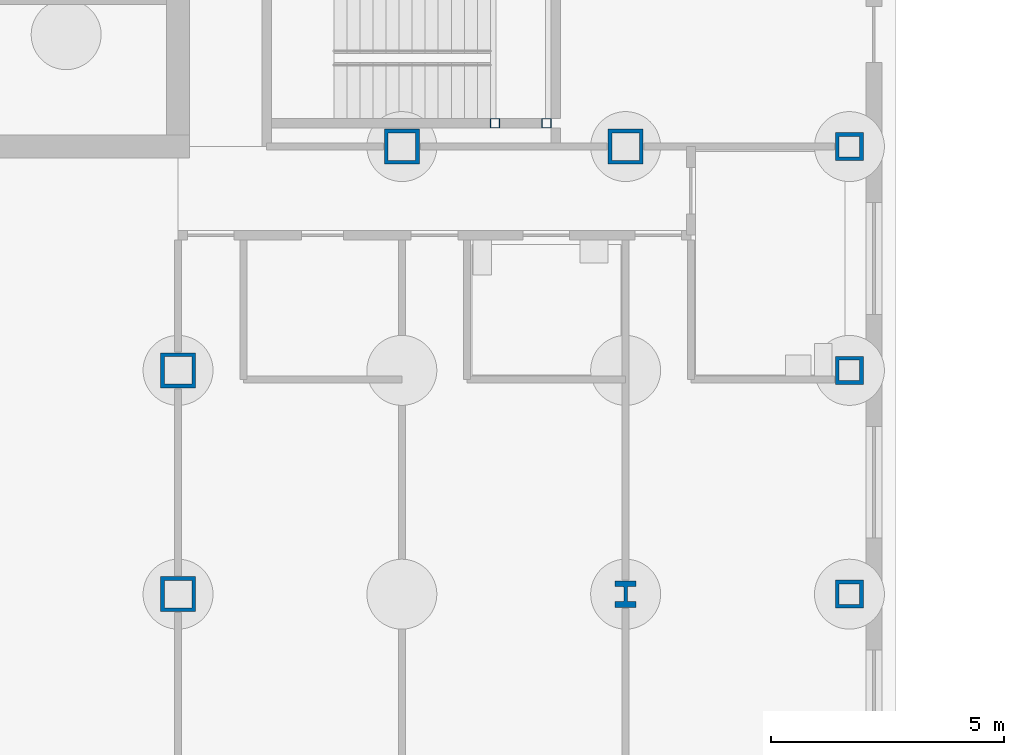
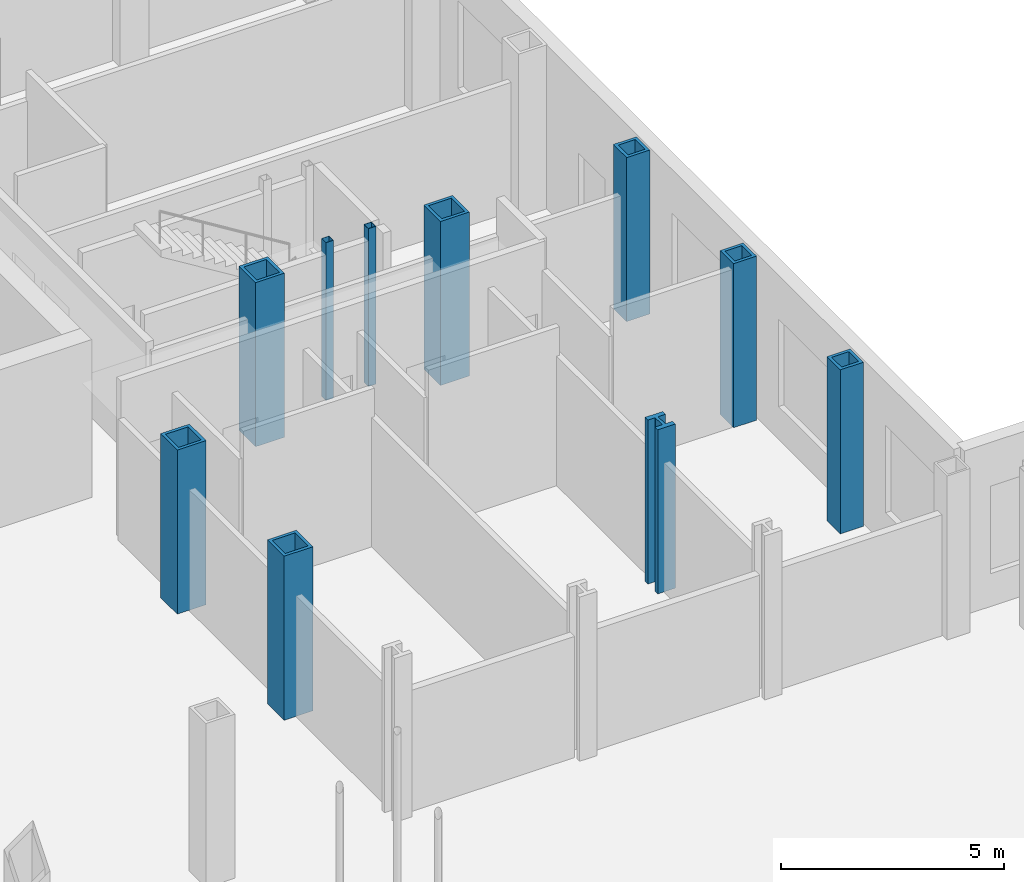
# One storey, part 7 of 22: 10 columns.
"""IFC4 building model written with IfcOpenShell, lengths in metres."""

from ifc_helpers import new_model, si_unit, direction, frame, origin, origin_2d, place, context, subcontext, project, spatial, hollow_rectangle, i_section, extrude, material, material_profile, profile_set, type_object, element, save


model = new_model("IFC4")

# Units and contexts
model_context = context("Model", 3, precision=1e-05, world=origin(), true_north=direction((0.0, 1.0)))
body_context = subcontext(model_context, "Body", "Model", "MODEL_VIEW")
ifc_project = project(units=[si_unit("LENGTHUNIT", "METRE"), si_unit("AREAUNIT", "SQUARE_METRE"), si_unit("VOLUMEUNIT", "CUBIC_METRE"), si_unit("PLANEANGLEUNIT", "RADIAN"), si_unit("MASSUNIT", "GRAM", prefix="KILO")], contexts=[model_context])

# Site, building, storey
site_placement = place(None, origin())
site = spatial("IfcSite", under=ifc_project, at=site_placement, CompositionType="ELEMENT")
building_placement = place(site_placement, origin())
building = spatial("IfcBuilding", under=site, at=building_placement, Name="Kvirike Care Tower", CompositionType="ELEMENT")
storey_placement = place(building_placement, origin())
storey = spatial("IfcBuildingStorey", under=building, at=storey_placement, Name="L00", CompositionType="ELEMENT", Elevation=0.0)

# Columns
ifc_material_1 = material(Name="Steel S460", Category="steel")
ifc_material_profile_1 = material_profile(ifc_material_1, hollow_rectangle(XDim=0.60009765625, YDim=0.60009765625, WallThickness=0.080078125, at=origin_2d()), Name="BX 600x600x80")
ifc_profile_set_1 = profile_set([ifc_material_profile_1], Name="Steel S460")
column_type_1 = type_object("IfcColumnType", Name="COLUMN BX 600x600x80", PredefinedType="COLUMN", material=ifc_profile_set_1)
for number, where, z_axis, x_axis, name in (
    (1, (43.199951171875, 19.199951171875, 0.0), (0.0, 0.0, 1.0), (1.0, 0.0, 0.0), "Column E12 L00"),
    (2, (43.199951171875, 24.0, 0.0), (0.0, 0.0, 1.0), (1.0, 0.0, 0.0), "Column F12 L00"),
    (3, (43.199951171875, 28.800048828125, 0.0), (0.0, 0.0, 1.0), (0.0, 1.0, 0.0), "Column G12 L00"),
):
    element("IfcColumn", number, at=place(storey_placement, frame(where, z_axis=z_axis, x_axis=x_axis)), inside=storey, type_object=column_type_1, Name=name, PredefinedType="COLUMN", context=body_context, shape_type="SweptSolid", body=[
        extrude(hollow_rectangle(XDim=0.60009765625, YDim=0.60009765625, WallThickness=0.080078125, at=origin_2d()), origin(), (0.0, 0.0, 1.0), 4.5),
    ])
ifc_material_2 = material(Name="Steel S460", Category="steel")
ifc_material_profile_2 = material_profile(ifc_material_2, hollow_rectangle(XDim=0.75, YDim=0.75, WallThickness=0.080078125, at=origin_2d()), Name="BX 750x750x80")
ifc_profile_set_2 = profile_set([ifc_material_profile_2], Name="Steel S460")
column_type_2 = type_object("IfcColumnType", Name="COLUMN BX 750x750x80", PredefinedType="COLUMN", material=ifc_profile_set_2)
for number, where, z_axis, x_axis, name in (
    (4, (28.800048828125, 19.199951171875, 0.0), (0.0, 0.0, 1.0), (1.0, 0.0, 0.0), "Column E9 L00"),
    (5, (28.800048828125, 24.0, 0.0), (0.0, 0.0, 1.0), (1.0, 0.0, 0.0), "Column F9 L00"),
    (6, (33.60009765625, 28.800048828125, 0.0), (0.0, 0.0, 1.0), (0.0, 1.0, 0.0), "Column G10 L00"),
    (7, (38.39990234375, 28.800048828125, 0.0), (0.0, 0.0, 1.0), (0.0, 1.0, 0.0), "Column G11 L00"),
):
    element("IfcColumn", number, at=place(storey_placement, frame(where, z_axis=z_axis, x_axis=x_axis)), inside=storey, type_object=column_type_2, Name=name, PredefinedType="COLUMN", context=body_context, shape_type="SweptSolid", body=[
        extrude(hollow_rectangle(XDim=0.75, YDim=0.75, WallThickness=0.080078125, at=origin_2d()), origin(), (0.0, 0.0, 1.0), 4.5),
    ])
ifc_material_3 = material(Name="Steel S460", Category="steel")
ifc_material_profile_3 = material_profile(ifc_material_3, i_section(OverallWidth=0.4541015625, OverallDepth=0.569091796875, WebThickness=0.077880859375, FlangeThickness=0.125, FilletRadius=0.014892578125, at=origin_2d()), Name="HD 400x1086")
ifc_profile_set_3 = profile_set([ifc_material_profile_3], Name="Steel S460")
column_type_3 = type_object("IfcColumnType", Name="COLUMN HD 400x1086", PredefinedType="COLUMN", material=ifc_profile_set_3)
column_placement = place(storey_placement, frame((38.39990234375, 19.199951171875, 0.0), z_axis=(0.0, 0.0, 1.0), x_axis=(1.0, 0.0, 0.0)))
element("IfcColumn", 8, at=column_placement, inside=storey, type_object=column_type_3, Name="Column E11 L00", PredefinedType="COLUMN", context=body_context, shape_type="SweptSolid", body=[
    extrude(i_section(OverallWidth=0.4541015625, OverallDepth=0.569091796875, WebThickness=0.077880859375, FlangeThickness=0.125, FilletRadius=0.014892578125, at=origin_2d()), origin(), (0.0, 0.0, 1.0), 4.5),
])
ifc_material_4 = material(Name="Steel S460", Category="steel")
ifc_material_profile_4 = material_profile(ifc_material_4, hollow_rectangle(XDim=0.199951171875, YDim=0.199951171875, WallThickness=0.008056640625, at=origin_2d()), Name="SHS 200x200x8")
ifc_profile_set_4 = profile_set([ifc_material_profile_4], Name="Steel S460")
column_type_4 = type_object("IfcColumnType", Name="STAIR POST SHS 200x200x8", PredefinedType="COLUMN", material=ifc_profile_set_4)
for number, where, z_axis, x_axis, name in (
    (9, (36.699951171875, 29.300048828125, 0.0), (0.0, 0.0, 1.0), (1.0, 0.0, 0.0), "Stair 2 post 1 L00"),
    (10, (35.60009765625, 29.300048828125, 0.0), (0.0, 0.0, 1.0), (1.0, 0.0, 0.0), "Stair 2 post 3 L00"),
):
    element("IfcColumn", number, at=place(storey_placement, frame(where, z_axis=z_axis, x_axis=x_axis)), inside=storey, type_object=column_type_4, Name=name, PredefinedType="COLUMN", context=body_context, shape_type="SweptSolid", body=[
        extrude(hollow_rectangle(XDim=0.199951171875, YDim=0.199951171875, WallThickness=0.008056640625, at=origin_2d()), origin(), (0.0, 0.0, 1.0), 4.330078125),
    ])

save(model, "model.ifc")
